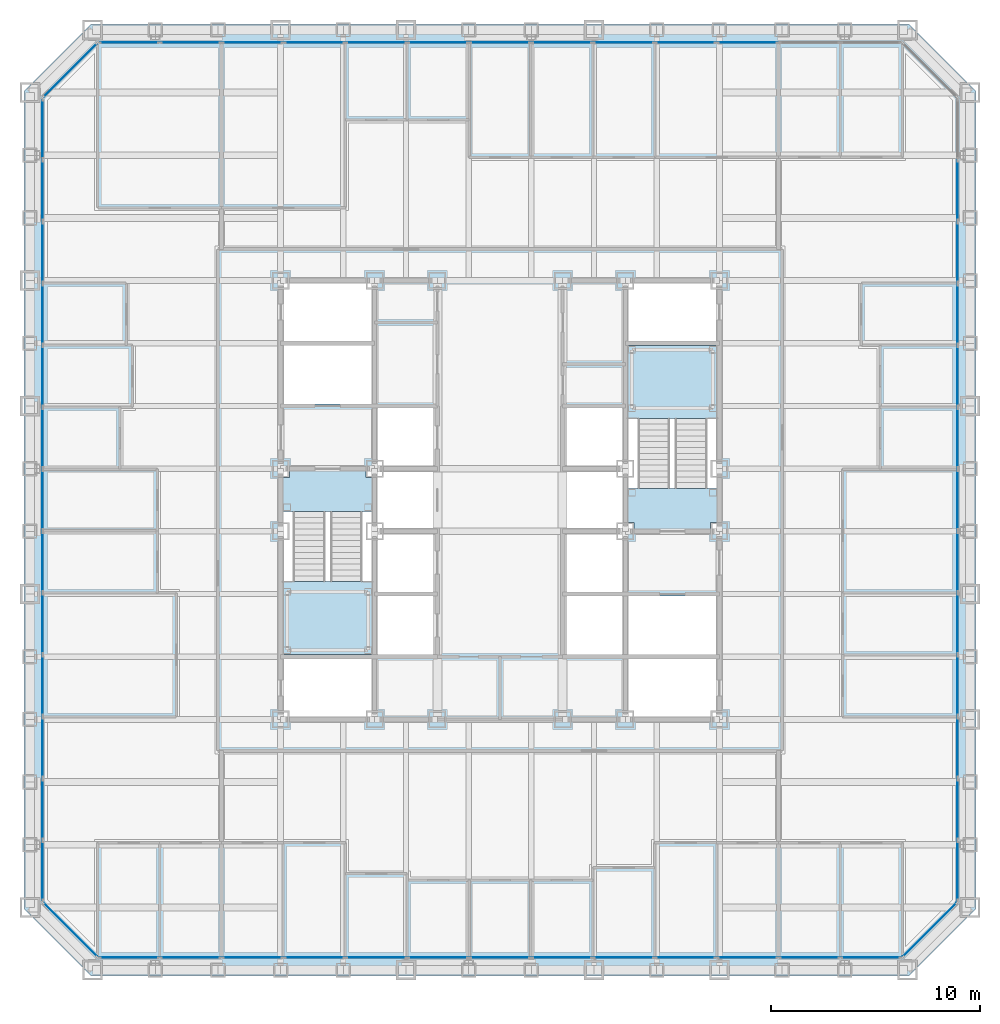
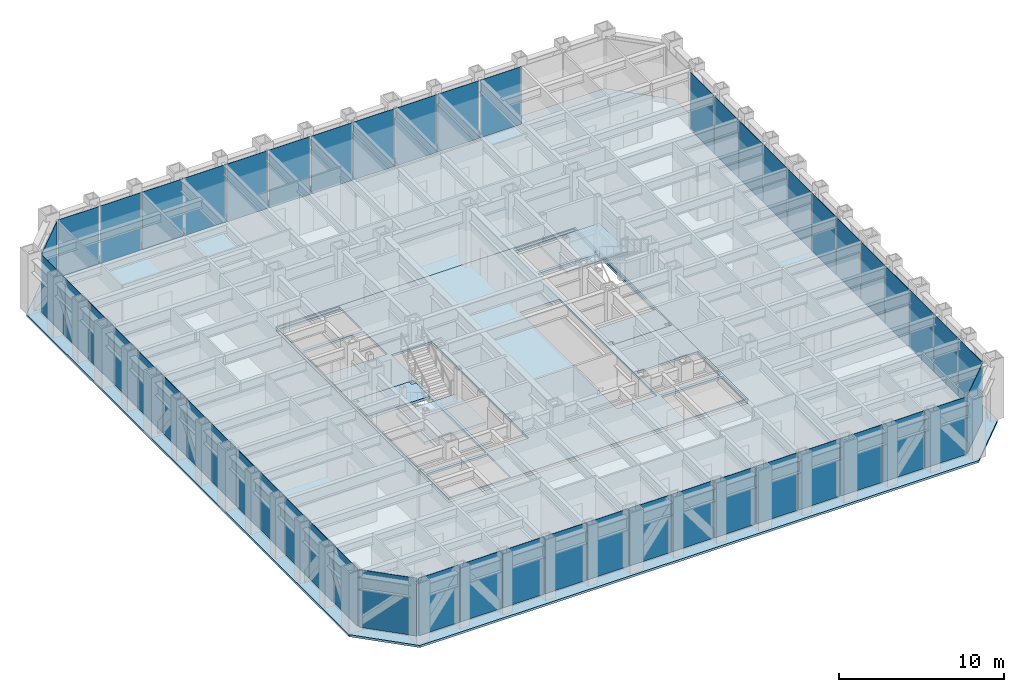
# One storey, part 7 of 16: 52 plates, 6 slabs, 9 elements without a shape of their own.
"""IFC4 building model written with IfcOpenShell, lengths in metres."""

from ifc_helpers import new_model, si_unit, direction, frame, origin, origin_2d, place, context, subcontext, project, spatial, polyline, rectangle, outline, extrude, material, layer, layer_set, type_object, element, aggregate, save


model = new_model("IFC4")

# Units and contexts
model_context = context("Model", 3, precision=1e-05, world=origin(), true_north=direction((0.0, 1.0)))
body_context = subcontext(model_context, "Body", "Model", "MODEL_VIEW")
ifc_project = project(units=[si_unit("LENGTHUNIT", "METRE"), si_unit("AREAUNIT", "SQUARE_METRE"), si_unit("VOLUMEUNIT", "CUBIC_METRE"), si_unit("PLANEANGLEUNIT", "RADIAN"), si_unit("MASSUNIT", "GRAM", prefix="KILO")], contexts=[model_context])

# Site, building, storey
site_placement = place(None, origin())
site = spatial("IfcSite", under=ifc_project, at=site_placement, CompositionType="ELEMENT")
building_placement = place(site_placement, origin())
building = spatial("IfcBuilding", under=site, at=building_placement, Name="Chuquiago Exchange Tower", CompositionType="ELEMENT")
storey_placement = place(building_placement, frame((0.0, 0.0, 82.800048828125)))
storey = spatial("IfcBuildingStorey", under=building, at=storey_placement, Name="L17", CompositionType="ELEMENT", Elevation=82.800048828125)

# Curtain wall, plates
ifc_material_1 = material(Name="Aluminium curtain wall system", Category="aluminium")
ifc_layer_1 = layer(ifc_material_1, 0.25)
ifc_layer_set_1 = layer_set([ifc_layer_1], Name="CW1 trading floor curtain wall")
curtain_wall_type_1 = type_object("IfcCurtainWallType", Name="CW1 trading floor curtain wall", PredefinedType="NOTDEFINED", material=ifc_layer_set_1)
curtain_wall_1_placement = place(storey_placement, origin())
curtain_wall_1 = element("IfcCurtainWall", 1, at=curtain_wall_1_placement, inside=storey, type_object=curtain_wall_type_1, Name="CW1 curtain wall L17", PredefinedType="NOTDEFINED")
ifc_material_2 = material(Name="Glass, insulating unit", Category="glass")
ifc_layer_2 = layer(ifc_material_2, 0.031982421875)
ifc_layer_set_2 = layer_set([ifc_layer_2], Name="CW1-P panel 32")
plate_type_1 = type_object("IfcPlateType", Name="CW1-P panel 32", PredefinedType="CURTAIN_PANEL", material=ifc_layer_set_2)
plate_1_placement = place(storey_placement, frame((10.65283203125, 0.60009765625, -0.22509765625), z_axis=(0.0, 0.0, 1.0), x_axis=(1.0, 0.0, 0.0)))
plate_1 = element("IfcPlate", 2, at=plate_1_placement, type_object=plate_type_1, Name="CW1 panel 3.1", PredefinedType="CURTAIN_PANEL", context=body_context, shape_type="SweptSolid", body=[
    extrude(rectangle(XDim=2.88671875, YDim=0.031982421875, at=origin_2d()), origin(), (0.0, 0.0, 1.0), 4.264892578125),
])
plate_2_placement = place(storey_placement, frame((13.61474609375, 0.60009765625, -0.22509765625), z_axis=(0.0, 0.0, 1.0), x_axis=(1.0, 0.0, 0.0)))
plate_2 = element("IfcPlate", 3, at=plate_2_placement, type_object=plate_type_1, Name="CW1 panel 4.1", PredefinedType="CURTAIN_PANEL", context=body_context, shape_type="SweptSolid", body=[
    extrude(rectangle(XDim=2.88671875, YDim=0.031982421875, at=origin_2d()), origin(), (0.0, 0.0, 1.0), 4.264892578125),
])
plate_3_placement = place(storey_placement, frame((16.576416015625, 0.60009765625, -0.22509765625), z_axis=(0.0, 0.0, 1.0), x_axis=(1.0, 0.0, 0.0)))
plate_3 = element("IfcPlate", 4, at=plate_3_placement, type_object=plate_type_1, Name="CW1 panel 5.1", PredefinedType="CURTAIN_PANEL", context=body_context, shape_type="SweptSolid", body=[
    extrude(rectangle(XDim=2.88671875, YDim=0.031982421875, at=origin_2d()), origin(), (0.0, 0.0, 1.0), 4.264892578125),
])
plate_4_placement = place(storey_placement, frame((25.461669921875, 0.60009765625, -0.22509765625), z_axis=(0.0, 0.0, 1.0), x_axis=(1.0, 0.0, 0.0)))
plate_4 = element("IfcPlate", 5, at=plate_4_placement, type_object=plate_type_1, Name="CW1 panel 8.1", PredefinedType="CURTAIN_PANEL", context=body_context, shape_type="SweptSolid", body=[
    extrude(rectangle(XDim=2.88671875, YDim=0.031982421875, at=origin_2d()), origin(), (0.0, 0.0, 1.0), 4.264892578125),
])
plate_5_placement = place(storey_placement, frame((28.423583984375, 0.60009765625, -0.22509765625), z_axis=(0.0, 0.0, 1.0), x_axis=(1.0, 0.0, 0.0)))
plate_5 = element("IfcPlate", 6, at=plate_5_placement, type_object=plate_type_1, Name="CW1 panel 9.1", PredefinedType="CURTAIN_PANEL", context=body_context, shape_type="SweptSolid", body=[
    extrude(rectangle(XDim=2.88671875, YDim=0.031982421875, at=origin_2d()), origin(), (0.0, 0.0, 1.0), 4.264892578125),
])
plate_6_placement = place(storey_placement, frame((31.38525390625, 0.60009765625, -0.22509765625), z_axis=(0.0, 0.0, 1.0), x_axis=(1.0, 0.0, 0.0)))
plate_6 = element("IfcPlate", 7, at=plate_6_placement, type_object=plate_type_1, Name="CW1 panel 10.1", PredefinedType="CURTAIN_PANEL", context=body_context, shape_type="SweptSolid", body=[
    extrude(rectangle(XDim=2.88671875, YDim=0.031982421875, at=origin_2d()), origin(), (0.0, 0.0, 1.0), 4.264892578125),
])
plate_7_placement = place(storey_placement, frame((34.34716796875, 0.60009765625, -0.22509765625), z_axis=(0.0, 0.0, 1.0), x_axis=(1.0, 0.0, 0.0)))
plate_7 = element("IfcPlate", 8, at=plate_7_placement, type_object=plate_type_1, Name="CW1 panel 11.1", PredefinedType="CURTAIN_PANEL", context=body_context, shape_type="SweptSolid", body=[
    extrude(rectangle(XDim=2.88671875, YDim=0.031982421875, at=origin_2d()), origin(), (0.0, 0.0, 1.0), 4.264892578125),
])

curtain_wall_2_placement = place(storey_placement, origin())
curtain_wall_2 = element("IfcCurtainWall", 9, at=curtain_wall_2_placement, inside=storey, type_object=curtain_wall_type_1, Name="CW1 curtain wall L17", PredefinedType="NOTDEFINED")
plate_8_placement = place(storey_placement, frame((44.39990234375, 10.65283203125, -0.22509765625), z_axis=(0.0, 0.0, 1.0), x_axis=(0.0, 1.0, 0.0)))
plate_8 = element("IfcPlate", 10, at=plate_8_placement, type_object=plate_type_1, Name="CW1 panel 3.1", PredefinedType="CURTAIN_PANEL", context=body_context, shape_type="SweptSolid", body=[
    extrude(rectangle(XDim=2.88671875, YDim=0.031982421875, at=origin_2d()), origin(), (0.0, 0.0, 1.0), 4.264892578125),
])
plate_9_placement = place(storey_placement, frame((44.39990234375, 13.61474609375, -0.22509765625), z_axis=(0.0, 0.0, 1.0), x_axis=(0.0, 1.0, 0.0)))
plate_9 = element("IfcPlate", 11, at=plate_9_placement, type_object=plate_type_1, Name="CW1 panel 4.1", PredefinedType="CURTAIN_PANEL", context=body_context, shape_type="SweptSolid", body=[
    extrude(rectangle(XDim=2.88671875, YDim=0.031982421875, at=origin_2d()), origin(), (0.0, 0.0, 1.0), 4.264892578125),
])
plate_10_placement = place(storey_placement, frame((44.39990234375, 16.576416015625, -0.22509765625), z_axis=(0.0, 0.0, 1.0), x_axis=(0.0, 1.0, 0.0)))
plate_10 = element("IfcPlate", 12, at=plate_10_placement, type_object=plate_type_1, Name="CW1 panel 5.1", PredefinedType="CURTAIN_PANEL", context=body_context, shape_type="SweptSolid", body=[
    extrude(rectangle(XDim=2.88671875, YDim=0.031982421875, at=origin_2d()), origin(), (0.0, 0.0, 1.0), 4.264892578125),
])
plate_11_placement = place(storey_placement, frame((44.39990234375, 25.461669921875, -0.22509765625), z_axis=(0.0, 0.0, 1.0), x_axis=(0.0, 1.0, 0.0)))
plate_11 = element("IfcPlate", 13, at=plate_11_placement, type_object=plate_type_1, Name="CW1 panel 8.1", PredefinedType="CURTAIN_PANEL", context=body_context, shape_type="SweptSolid", body=[
    extrude(rectangle(XDim=2.88671875, YDim=0.031982421875, at=origin_2d()), origin(), (0.0, 0.0, 1.0), 4.264892578125),
])
plate_12_placement = place(storey_placement, frame((44.39990234375, 28.423583984375, -0.22509765625), z_axis=(0.0, 0.0, 1.0), x_axis=(0.0, 1.0, 0.0)))
plate_12 = element("IfcPlate", 14, at=plate_12_placement, type_object=plate_type_1, Name="CW1 panel 9.1", PredefinedType="CURTAIN_PANEL", context=body_context, shape_type="SweptSolid", body=[
    extrude(rectangle(XDim=2.88671875, YDim=0.031982421875, at=origin_2d()), origin(), (0.0, 0.0, 1.0), 4.264892578125),
])
plate_13_placement = place(storey_placement, frame((44.39990234375, 31.38525390625, -0.22509765625), z_axis=(0.0, 0.0, 1.0), x_axis=(0.0, 1.0, 0.0)))
plate_13 = element("IfcPlate", 15, at=plate_13_placement, type_object=plate_type_1, Name="CW1 panel 10.1", PredefinedType="CURTAIN_PANEL", context=body_context, shape_type="SweptSolid", body=[
    extrude(rectangle(XDim=2.88671875, YDim=0.031982421875, at=origin_2d()), origin(), (0.0, 0.0, 1.0), 4.264892578125),
])
plate_14_placement = place(storey_placement, frame((44.39990234375, 34.34716796875, -0.22509765625), z_axis=(0.0, 0.0, 1.0), x_axis=(0.0, 1.0, 0.0)))
plate_14 = element("IfcPlate", 16, at=plate_14_placement, type_object=plate_type_1, Name="CW1 panel 11.1", PredefinedType="CURTAIN_PANEL", context=body_context, shape_type="SweptSolid", body=[
    extrude(rectangle(XDim=2.88671875, YDim=0.031982421875, at=origin_2d()), origin(), (0.0, 0.0, 1.0), 4.264892578125),
])

curtain_wall_3_placement = place(storey_placement, origin())
curtain_wall_3 = element("IfcCurtainWall", 17, at=curtain_wall_3_placement, inside=storey, type_object=curtain_wall_type_1, Name="CW1 curtain wall L17", PredefinedType="NOTDEFINED")
plate_15_placement = place(storey_placement, frame((34.34716796875, 44.39990234375, -0.22509765625), z_axis=(0.0, 0.0, 1.0), x_axis=(-1.0, 0.0, 0.0)))
plate_15 = element("IfcPlate", 18, at=plate_15_placement, type_object=plate_type_1, Name="CW1 panel 3.1", PredefinedType="CURTAIN_PANEL", context=body_context, shape_type="SweptSolid", body=[
    extrude(rectangle(XDim=2.88671875, YDim=0.031982421875, at=origin_2d()), origin(), (0.0, 0.0, 1.0), 4.264892578125),
])
plate_16_placement = place(storey_placement, frame((31.38525390625, 44.39990234375, -0.22509765625), z_axis=(0.0, 0.0, 1.0), x_axis=(-1.0, 0.0, 0.0)))
plate_16 = element("IfcPlate", 19, at=plate_16_placement, type_object=plate_type_1, Name="CW1 panel 4.1", PredefinedType="CURTAIN_PANEL", context=body_context, shape_type="SweptSolid", body=[
    extrude(rectangle(XDim=2.88671875, YDim=0.031982421875, at=origin_2d()), origin(), (0.0, 0.0, 1.0), 4.264892578125),
])
plate_17_placement = place(storey_placement, frame((28.423583984375, 44.39990234375, -0.22509765625), z_axis=(0.0, 0.0, 1.0), x_axis=(-1.0, 0.0, 0.0)))
plate_17 = element("IfcPlate", 20, at=plate_17_placement, type_object=plate_type_1, Name="CW1 panel 5.1", PredefinedType="CURTAIN_PANEL", context=body_context, shape_type="SweptSolid", body=[
    extrude(rectangle(XDim=2.88671875, YDim=0.031982421875, at=origin_2d()), origin(), (0.0, 0.0, 1.0), 4.264892578125),
])
plate_18_placement = place(storey_placement, frame((19.538330078125, 44.39990234375, -0.22509765625), z_axis=(0.0, 0.0, 1.0), x_axis=(-1.0, 0.0, 0.0)))
plate_18 = element("IfcPlate", 21, at=plate_18_placement, type_object=plate_type_1, Name="CW1 panel 8.1", PredefinedType="CURTAIN_PANEL", context=body_context, shape_type="SweptSolid", body=[
    extrude(rectangle(XDim=2.88671875, YDim=0.031982421875, at=origin_2d()), origin(), (0.0, 0.0, 1.0), 4.264892578125),
])
plate_19_placement = place(storey_placement, frame((16.576416015625, 44.39990234375, -0.22509765625), z_axis=(0.0, 0.0, 1.0), x_axis=(-1.0, 0.0, 0.0)))
plate_19 = element("IfcPlate", 22, at=plate_19_placement, type_object=plate_type_1, Name="CW1 panel 9.1", PredefinedType="CURTAIN_PANEL", context=body_context, shape_type="SweptSolid", body=[
    extrude(rectangle(XDim=2.88671875, YDim=0.031982421875, at=origin_2d()), origin(), (0.0, 0.0, 1.0), 4.264892578125),
])
plate_20_placement = place(storey_placement, frame((13.61474609375, 44.39990234375, -0.22509765625), z_axis=(0.0, 0.0, 1.0), x_axis=(-1.0, 0.0, 0.0)))
plate_20 = element("IfcPlate", 23, at=plate_20_placement, type_object=plate_type_1, Name="CW1 panel 10.1", PredefinedType="CURTAIN_PANEL", context=body_context, shape_type="SweptSolid", body=[
    extrude(rectangle(XDim=2.88671875, YDim=0.031982421875, at=origin_2d()), origin(), (0.0, 0.0, 1.0), 4.264892578125),
])
plate_21_placement = place(storey_placement, frame((10.65283203125, 44.39990234375, -0.22509765625), z_axis=(0.0, 0.0, 1.0), x_axis=(-1.0, 0.0, 0.0)))
plate_21 = element("IfcPlate", 24, at=plate_21_placement, type_object=plate_type_1, Name="CW1 panel 11.1", PredefinedType="CURTAIN_PANEL", context=body_context, shape_type="SweptSolid", body=[
    extrude(rectangle(XDim=2.88671875, YDim=0.031982421875, at=origin_2d()), origin(), (0.0, 0.0, 1.0), 4.264892578125),
])

curtain_wall_4_placement = place(storey_placement, origin())
curtain_wall_4 = element("IfcCurtainWall", 25, at=curtain_wall_4_placement, inside=storey, type_object=curtain_wall_type_1, Name="CW1 curtain wall L17", PredefinedType="NOTDEFINED")
plate_22_placement = place(storey_placement, frame((0.60009765625, 34.34716796875, -0.22509765625), z_axis=(0.0, 0.0, 1.0), x_axis=(0.0, -1.0, 0.0)))
plate_22 = element("IfcPlate", 26, at=plate_22_placement, type_object=plate_type_1, Name="CW1 panel 3.1", PredefinedType="CURTAIN_PANEL", context=body_context, shape_type="SweptSolid", body=[
    extrude(rectangle(XDim=2.88671875, YDim=0.031982421875, at=origin_2d()), origin(), (0.0, 0.0, 1.0), 4.264892578125),
])
plate_23_placement = place(storey_placement, frame((0.60009765625, 31.38525390625, -0.22509765625), z_axis=(0.0, 0.0, 1.0), x_axis=(0.0, -1.0, 0.0)))
plate_23 = element("IfcPlate", 27, at=plate_23_placement, type_object=plate_type_1, Name="CW1 panel 4.1", PredefinedType="CURTAIN_PANEL", context=body_context, shape_type="SweptSolid", body=[
    extrude(rectangle(XDim=2.88671875, YDim=0.031982421875, at=origin_2d()), origin(), (0.0, 0.0, 1.0), 4.264892578125),
])
plate_24_placement = place(storey_placement, frame((0.60009765625, 28.423583984375, -0.22509765625), z_axis=(0.0, 0.0, 1.0), x_axis=(0.0, -1.0, 0.0)))
plate_24 = element("IfcPlate", 28, at=plate_24_placement, type_object=plate_type_1, Name="CW1 panel 5.1", PredefinedType="CURTAIN_PANEL", context=body_context, shape_type="SweptSolid", body=[
    extrude(rectangle(XDim=2.88671875, YDim=0.031982421875, at=origin_2d()), origin(), (0.0, 0.0, 1.0), 4.264892578125),
])
plate_25_placement = place(storey_placement, frame((0.60009765625, 19.538330078125, -0.22509765625), z_axis=(0.0, 0.0, 1.0), x_axis=(0.0, -1.0, 0.0)))
plate_25 = element("IfcPlate", 29, at=plate_25_placement, type_object=plate_type_1, Name="CW1 panel 8.1", PredefinedType="CURTAIN_PANEL", context=body_context, shape_type="SweptSolid", body=[
    extrude(rectangle(XDim=2.88671875, YDim=0.031982421875, at=origin_2d()), origin(), (0.0, 0.0, 1.0), 4.264892578125),
])
plate_26_placement = place(storey_placement, frame((0.60009765625, 16.576416015625, -0.22509765625), z_axis=(0.0, 0.0, 1.0), x_axis=(0.0, -1.0, 0.0)))
plate_26 = element("IfcPlate", 30, at=plate_26_placement, type_object=plate_type_1, Name="CW1 panel 9.1", PredefinedType="CURTAIN_PANEL", context=body_context, shape_type="SweptSolid", body=[
    extrude(rectangle(XDim=2.88671875, YDim=0.031982421875, at=origin_2d()), origin(), (0.0, 0.0, 1.0), 4.264892578125),
])
plate_27_placement = place(storey_placement, frame((0.60009765625, 13.61474609375, -0.22509765625), z_axis=(0.0, 0.0, 1.0), x_axis=(0.0, -1.0, 0.0)))
plate_27 = element("IfcPlate", 31, at=plate_27_placement, type_object=plate_type_1, Name="CW1 panel 10.1", PredefinedType="CURTAIN_PANEL", context=body_context, shape_type="SweptSolid", body=[
    extrude(rectangle(XDim=2.88671875, YDim=0.031982421875, at=origin_2d()), origin(), (0.0, 0.0, 1.0), 4.264892578125),
])
plate_28_placement = place(storey_placement, frame((0.60009765625, 10.65283203125, -0.22509765625), z_axis=(0.0, 0.0, 1.0), x_axis=(0.0, -1.0, 0.0)))
plate_28 = element("IfcPlate", 32, at=plate_28_placement, type_object=plate_type_1, Name="CW1 panel 11.1", PredefinedType="CURTAIN_PANEL", context=body_context, shape_type="SweptSolid", body=[
    extrude(rectangle(XDim=2.88671875, YDim=0.031982421875, at=origin_2d()), origin(), (0.0, 0.0, 1.0), 4.264892578125),
])

# Plate
ifc_material_3 = material(Name="Insulated spandrel panel, pale anodised aluminium", Category="aluminium")
ifc_layer_3 = layer(ifc_material_3, 0.031982421875)
ifc_layer_set_3 = layer_set([ifc_layer_3], Name="CW1-P spandrel panel 32")
plate_type_2 = type_object("IfcPlateType", Name="CW1-P spandrel panel 32", PredefinedType="CURTAIN_PANEL", material=ifc_layer_set_3)
plate_29_placement = place(storey_placement, frame((4.748046875, 0.60009765625, -0.22509765625), z_axis=(0.0, 0.0, 1.0), x_axis=(1.0, 0.0, 0.0)))
plate_29 = element("IfcPlate", 33, at=plate_29_placement, type_object=plate_type_2, Name="CW1 panel 1.1", PredefinedType="CURTAIN_PANEL", context=body_context, shape_type="SweptSolid", body=[
    extrude(rectangle(XDim=2.849365234375, YDim=0.031982421875, at=origin_2d()), origin(), (0.0, 0.0, 1.0), 4.264892578125),
])

plate_30_placement = place(storey_placement, frame((7.691162109375, 0.60009765625, -0.22509765625), z_axis=(0.0, 0.0, 1.0), x_axis=(1.0, 0.0, 0.0)))
plate_30 = element("IfcPlate", 34, at=plate_30_placement, type_object=plate_type_2, Name="CW1 panel 2.1", PredefinedType="CURTAIN_PANEL", context=body_context, shape_type="SweptSolid", body=[
    extrude(rectangle(XDim=2.88671875, YDim=0.031982421875, at=origin_2d()), origin(), (0.0, 0.0, 1.0), 4.264892578125),
])

plate_31_placement = place(storey_placement, frame((19.538330078125, 0.60009765625, -0.22509765625), z_axis=(0.0, 0.0, 1.0), x_axis=(1.0, 0.0, 0.0)))
plate_31 = element("IfcPlate", 35, at=plate_31_placement, type_object=plate_type_2, Name="CW1 panel 6.1", PredefinedType="CURTAIN_PANEL", context=body_context, shape_type="SweptSolid", body=[
    extrude(rectangle(XDim=2.88671875, YDim=0.031982421875, at=origin_2d()), origin(), (0.0, 0.0, 1.0), 4.264892578125),
])

plate_32_placement = place(storey_placement, frame((22.5, 0.60009765625, -0.22509765625), z_axis=(0.0, 0.0, 1.0), x_axis=(1.0, 0.0, 0.0)))
plate_32 = element("IfcPlate", 36, at=plate_32_placement, type_object=plate_type_2, Name="CW1 panel 7.1", PredefinedType="CURTAIN_PANEL", context=body_context, shape_type="SweptSolid", body=[
    extrude(rectangle(XDim=2.88671875, YDim=0.031982421875, at=origin_2d()), origin(), (0.0, 0.0, 1.0), 4.264892578125),
])

plate_33_placement = place(storey_placement, frame((37.308837890625, 0.60009765625, -0.22509765625), z_axis=(0.0, 0.0, 1.0), x_axis=(1.0, 0.0, 0.0)))
plate_33 = element("IfcPlate", 37, at=plate_33_placement, type_object=plate_type_2, Name="CW1 panel 12.1", PredefinedType="CURTAIN_PANEL", context=body_context, shape_type="SweptSolid", body=[
    extrude(rectangle(XDim=2.88671875, YDim=0.031982421875, at=origin_2d()), origin(), (0.0, 0.0, 1.0), 4.264892578125),
])

plate_34_placement = place(storey_placement, frame((40.251953125, 0.60009765625, -0.22509765625), z_axis=(0.0, 0.0, 1.0), x_axis=(1.0, 0.0, 0.0)))
plate_34 = element("IfcPlate", 38, at=plate_34_placement, type_object=plate_type_2, Name="CW1 panel 13.1", PredefinedType="CURTAIN_PANEL", context=body_context, shape_type="SweptSolid", body=[
    extrude(rectangle(XDim=2.849365234375, YDim=0.031982421875, at=origin_2d()), origin(), (0.0, 0.0, 1.0), 4.264892578125),
])

aggregate(curtain_wall_1, [plate_29, plate_30, plate_1, plate_2, plate_3, plate_31, plate_32, plate_4, plate_5, plate_6, plate_7, plate_33, plate_34])

plate_35_placement = place(storey_placement, frame((44.39990234375, 4.748046875, -0.22509765625), z_axis=(0.0, 0.0, 1.0), x_axis=(0.0, 1.0, 0.0)))
plate_35 = element("IfcPlate", 39, at=plate_35_placement, type_object=plate_type_2, Name="CW1 panel 1.1", PredefinedType="CURTAIN_PANEL", context=body_context, shape_type="SweptSolid", body=[
    extrude(rectangle(XDim=2.849365234375, YDim=0.031982421875, at=origin_2d()), origin(), (0.0, 0.0, 1.0), 4.264892578125),
])

plate_36_placement = place(storey_placement, frame((44.39990234375, 7.691162109375, -0.22509765625), z_axis=(0.0, 0.0, 1.0), x_axis=(0.0, 1.0, 0.0)))
plate_36 = element("IfcPlate", 40, at=plate_36_placement, type_object=plate_type_2, Name="CW1 panel 2.1", PredefinedType="CURTAIN_PANEL", context=body_context, shape_type="SweptSolid", body=[
    extrude(rectangle(XDim=2.88671875, YDim=0.031982421875, at=origin_2d()), origin(), (0.0, 0.0, 1.0), 4.264892578125),
])

plate_37_placement = place(storey_placement, frame((44.39990234375, 19.538330078125, -0.22509765625), z_axis=(0.0, 0.0, 1.0), x_axis=(0.0, 1.0, 0.0)))
plate_37 = element("IfcPlate", 41, at=plate_37_placement, type_object=plate_type_2, Name="CW1 panel 6.1", PredefinedType="CURTAIN_PANEL", context=body_context, shape_type="SweptSolid", body=[
    extrude(rectangle(XDim=2.88671875, YDim=0.031982421875, at=origin_2d()), origin(), (0.0, 0.0, 1.0), 4.264892578125),
])

plate_38_placement = place(storey_placement, frame((44.39990234375, 22.5, -0.22509765625), z_axis=(0.0, 0.0, 1.0), x_axis=(0.0, 1.0, 0.0)))
plate_38 = element("IfcPlate", 42, at=plate_38_placement, type_object=plate_type_2, Name="CW1 panel 7.1", PredefinedType="CURTAIN_PANEL", context=body_context, shape_type="SweptSolid", body=[
    extrude(rectangle(XDim=2.88671875, YDim=0.031982421875, at=origin_2d()), origin(), (0.0, 0.0, 1.0), 4.264892578125),
])

plate_39_placement = place(storey_placement, frame((44.39990234375, 37.308837890625, -0.22509765625), z_axis=(0.0, 0.0, 1.0), x_axis=(0.0, 1.0, 0.0)))
plate_39 = element("IfcPlate", 43, at=plate_39_placement, type_object=plate_type_2, Name="CW1 panel 12.1", PredefinedType="CURTAIN_PANEL", context=body_context, shape_type="SweptSolid", body=[
    extrude(rectangle(XDim=2.88671875, YDim=0.031982421875, at=origin_2d()), origin(), (0.0, 0.0, 1.0), 4.264892578125),
])

aggregate(curtain_wall_2, [plate_35, plate_36, plate_8, plate_9, plate_10, plate_37, plate_38, plate_11, plate_12, plate_13, plate_14, plate_39])

plate_40_placement = place(storey_placement, frame((25.461669921875, 44.39990234375, -0.22509765625), z_axis=(0.0, 0.0, 1.0), x_axis=(-1.0, 0.0, 0.0)))
plate_40 = element("IfcPlate", 44, at=plate_40_placement, type_object=plate_type_2, Name="CW1 panel 6.1", PredefinedType="CURTAIN_PANEL", context=body_context, shape_type="SweptSolid", body=[
    extrude(rectangle(XDim=2.88671875, YDim=0.031982421875, at=origin_2d()), origin(), (0.0, 0.0, 1.0), 4.264892578125),
])

plate_41_placement = place(storey_placement, frame((22.5, 44.39990234375, -0.22509765625), z_axis=(0.0, 0.0, 1.0), x_axis=(-1.0, 0.0, 0.0)))
plate_41 = element("IfcPlate", 45, at=plate_41_placement, type_object=plate_type_2, Name="CW1 panel 7.1", PredefinedType="CURTAIN_PANEL", context=body_context, shape_type="SweptSolid", body=[
    extrude(rectangle(XDim=2.88671875, YDim=0.031982421875, at=origin_2d()), origin(), (0.0, 0.0, 1.0), 4.264892578125),
])

plate_42_placement = place(storey_placement, frame((7.691162109375, 44.39990234375, -0.22509765625), z_axis=(0.0, 0.0, 1.0), x_axis=(-1.0, 0.0, 0.0)))
plate_42 = element("IfcPlate", 46, at=plate_42_placement, type_object=plate_type_2, Name="CW1 panel 12.1", PredefinedType="CURTAIN_PANEL", context=body_context, shape_type="SweptSolid", body=[
    extrude(rectangle(XDim=2.88671875, YDim=0.031982421875, at=origin_2d()), origin(), (0.0, 0.0, 1.0), 4.264892578125),
])

plate_43_placement = place(storey_placement, frame((4.748046875, 44.39990234375, -0.22509765625), z_axis=(0.0, 0.0, 1.0), x_axis=(-1.0, 0.0, 0.0)))
plate_43 = element("IfcPlate", 47, at=plate_43_placement, type_object=plate_type_2, Name="CW1 panel 13.1", PredefinedType="CURTAIN_PANEL", context=body_context, shape_type="SweptSolid", body=[
    extrude(rectangle(XDim=2.849365234375, YDim=0.031982421875, at=origin_2d()), origin(), (0.0, 0.0, 1.0), 4.264892578125),
])

aggregate(curtain_wall_3, [plate_15, plate_16, plate_17, plate_40, plate_41, plate_18, plate_19, plate_20, plate_21, plate_42, plate_43])

plate_44_placement = place(storey_placement, frame((0.60009765625, 40.251953125, -0.22509765625), z_axis=(0.0, 0.0, 1.0), x_axis=(0.0, -1.0, 0.0)))
plate_44 = element("IfcPlate", 48, at=plate_44_placement, type_object=plate_type_2, Name="CW1 panel 1.1", PredefinedType="CURTAIN_PANEL", context=body_context, shape_type="SweptSolid", body=[
    extrude(rectangle(XDim=2.849365234375, YDim=0.031982421875, at=origin_2d()), origin(), (0.0, 0.0, 1.0), 4.264892578125),
])

plate_45_placement = place(storey_placement, frame((0.60009765625, 37.308837890625, -0.22509765625), z_axis=(0.0, 0.0, 1.0), x_axis=(0.0, -1.0, 0.0)))
plate_45 = element("IfcPlate", 49, at=plate_45_placement, type_object=plate_type_2, Name="CW1 panel 2.1", PredefinedType="CURTAIN_PANEL", context=body_context, shape_type="SweptSolid", body=[
    extrude(rectangle(XDim=2.88671875, YDim=0.031982421875, at=origin_2d()), origin(), (0.0, 0.0, 1.0), 4.264892578125),
])

plate_46_placement = place(storey_placement, frame((0.60009765625, 25.461669921875, -0.22509765625), z_axis=(0.0, 0.0, 1.0), x_axis=(0.0, -1.0, 0.0)))
plate_46 = element("IfcPlate", 50, at=plate_46_placement, type_object=plate_type_2, Name="CW1 panel 6.1", PredefinedType="CURTAIN_PANEL", context=body_context, shape_type="SweptSolid", body=[
    extrude(rectangle(XDim=2.88671875, YDim=0.031982421875, at=origin_2d()), origin(), (0.0, 0.0, 1.0), 4.264892578125),
])

plate_47_placement = place(storey_placement, frame((0.60009765625, 22.5, -0.22509765625), z_axis=(0.0, 0.0, 1.0), x_axis=(0.0, -1.0, 0.0)))
plate_47 = element("IfcPlate", 51, at=plate_47_placement, type_object=plate_type_2, Name="CW1 panel 7.1", PredefinedType="CURTAIN_PANEL", context=body_context, shape_type="SweptSolid", body=[
    extrude(rectangle(XDim=2.88671875, YDim=0.031982421875, at=origin_2d()), origin(), (0.0, 0.0, 1.0), 4.264892578125),
])

plate_48_placement = place(storey_placement, frame((0.60009765625, 7.691162109375, -0.22509765625), z_axis=(0.0, 0.0, 1.0), x_axis=(0.0, -1.0, 0.0)))
plate_48 = element("IfcPlate", 52, at=plate_48_placement, type_object=plate_type_2, Name="CW1 panel 12.1", PredefinedType="CURTAIN_PANEL", context=body_context, shape_type="SweptSolid", body=[
    extrude(rectangle(XDim=2.88671875, YDim=0.031982421875, at=origin_2d()), origin(), (0.0, 0.0, 1.0), 4.264892578125),
])

plate_49_placement = place(storey_placement, frame((0.60009765625, 4.748046875, -0.22509765625), z_axis=(0.0, 0.0, 1.0), x_axis=(0.0, -1.0, 0.0)))
plate_49 = element("IfcPlate", 53, at=plate_49_placement, type_object=plate_type_2, Name="CW1 panel 13.1", PredefinedType="CURTAIN_PANEL", context=body_context, shape_type="SweptSolid", body=[
    extrude(rectangle(XDim=2.849365234375, YDim=0.031982421875, at=origin_2d()), origin(), (0.0, 0.0, 1.0), 4.264892578125),
])

aggregate(curtain_wall_4, [plate_44, plate_45, plate_22, plate_23, plate_24, plate_46, plate_47, plate_25, plate_26, plate_27, plate_28, plate_48, plate_49])

# Curtain wall, plate
ifc_material_4 = material(Name="Aluminium curtain wall system", Category="aluminium")
ifc_layer_4 = layer(ifc_material_4, 0.199951171875)
ifc_layer_set_4 = layer_set([ifc_layer_4], Name="CW3 facet curtain wall")
curtain_wall_type_2 = type_object("IfcCurtainWallType", Name="CW3 facet curtain wall", PredefinedType="NOTDEFINED", material=ifc_layer_set_4)
curtain_wall_5_placement = place(storey_placement, origin())
curtain_wall_5 = element("IfcCurtainWall", 54, at=curtain_wall_5_placement, inside=storey, type_object=curtain_wall_type_2, Name="CW3 curtain wall L17", PredefinedType="NOTDEFINED")
ifc_material_5 = material(Name="Insulated spandrel panel, pale anodised aluminium", Category="aluminium")
ifc_layer_5 = layer(ifc_material_5, 0.030029296875)
ifc_layer_set_5 = layer_set([ifc_layer_5], Name="CW3-P spandrel panel 30")
plate_type_3 = type_object("IfcPlateType", Name="CW3-P spandrel panel 30", PredefinedType="CURTAIN_PANEL", material=ifc_layer_set_5)
plate_50_placement = place(storey_placement, frame((43.07568359375, 1.92431640625, -0.235107421875), z_axis=(0.0, 0.0, 1.0), x_axis=(0.707106781187, 0.707106781187, 0.0)))
plate_50 = element("IfcPlate", 55, at=plate_50_placement, type_object=plate_type_3, Name="CW3 panel 1.1", PredefinedType="CURTAIN_PANEL", context=body_context, shape_type="SweptSolid", body=[
    extrude(rectangle(XDim=3.615478515625, YDim=0.030029296875, at=origin_2d()), origin(), (0.0, 0.0, 1.0), 4.27490234375),
])
aggregate(curtain_wall_5, [plate_50])

curtain_wall_6_placement = place(storey_placement, origin())
curtain_wall_6 = element("IfcCurtainWall", 56, at=curtain_wall_6_placement, inside=storey, type_object=curtain_wall_type_2, Name="CW3 curtain wall L17", PredefinedType="NOTDEFINED")
plate_51_placement = place(storey_placement, frame((1.92431640625, 43.07568359375, -0.235107421875), z_axis=(0.0, 0.0, 1.0), x_axis=(-0.707106781187, -0.707106781187, 0.0)))
plate_51 = element("IfcPlate", 57, at=plate_51_placement, type_object=plate_type_3, Name="CW3 panel 1.1", PredefinedType="CURTAIN_PANEL", context=body_context, shape_type="SweptSolid", body=[
    extrude(rectangle(XDim=3.615478515625, YDim=0.030029296875, at=origin_2d()), origin(), (0.0, 0.0, 1.0), 4.27490234375),
])
aggregate(curtain_wall_6, [plate_51])

curtain_wall_7_placement = place(storey_placement, origin())
curtain_wall_7 = element("IfcCurtainWall", 58, at=curtain_wall_7_placement, inside=storey, type_object=curtain_wall_type_2, Name="CW3 curtain wall L17", PredefinedType="NOTDEFINED")
plate_52_placement = place(storey_placement, frame((1.92431640625, 1.92431640625, -0.235107421875), z_axis=(0.0, 0.0, 1.0), x_axis=(0.707106781187, -0.707106781187, 0.0)))
plate_52 = element("IfcPlate", 59, at=plate_52_placement, type_object=plate_type_3, Name="CW3 panel 1.1", PredefinedType="CURTAIN_PANEL", context=body_context, shape_type="SweptSolid", body=[
    extrude(rectangle(XDim=3.615478515625, YDim=0.030029296875, at=origin_2d()), origin(), (0.0, 0.0, 1.0), 4.27490234375),
])
aggregate(curtain_wall_7, [plate_52])

# Slabs
ifc_material_6 = material(Name="Concrete C30/37", Category="concrete")
ifc_layer_6 = layer(ifc_material_6, 0.159912109375)
ifc_layer_set_6 = layer_set([ifc_layer_6], Name="FS1 composite floor 160")
slab_type_1 = type_object("IfcSlabType", Name="FS1 composite floor 160", PredefinedType="FLOOR", material=ifc_layer_set_6)
slab_1_placement = place(storey_placement, frame((0.0, 0.0, -0.4599609375)))
element("IfcSlab", 60, at=slab_1_placement, inside=storey, type_object=slab_type_1, Name="L17 floor slab, lowered under the raised floor", PredefinedType="FLOOR", context=body_context, shape_type="SweptSolid", body=[
    extrude(outline(polyline([(-0.25, 2.896484375), (-0.25, 42.103515625), (2.896484375, 45.25), (42.103515625, 45.25), (45.25, 42.103515625), (45.25, 2.896484375), (42.103515625, -0.25), (2.896484375, -0.25), (-0.25, 2.896484375)]), holes=[polyline([(33.0, 33.0), (12.0, 33.0), (12.0, 12.0), (33.0, 12.0), (33.0, 33.0)])]), origin(), (0.0, 0.0, 1.0), 0.159912109375),
])
slab_2_placement = place(storey_placement, frame((0.0, 0.0, -0.16015625)))
element("IfcSlab", 61, at=slab_2_placement, inside=storey, type_object=slab_type_1, Name="L17 core floor slab", PredefinedType="FLOOR", context=body_context, shape_type="SweptSolid", body=[
    extrude(outline(polyline([(33.0, 12.0), (33.0, 33.0), (12.0, 33.0), (12.0, 12.0), (33.0, 12.0)]), holes=[polyline([(16.39990234375, 15.10009765625), (12.10009765625, 15.10009765625), (12.10009765625, 23.89990234375), (16.39990234375, 23.89990234375), (16.39990234375, 15.10009765625)]), polyline([(32.89990234375, 21.10009765625), (28.60009765625, 21.10009765625), (28.60009765625, 29.89990234375), (32.89990234375, 29.89990234375), (32.89990234375, 21.10009765625)]), polyline([(16.39990234375, 12.10009765625), (12.10009765625, 12.10009765625), (12.10009765625, 14.89990234375), (16.39990234375, 14.89990234375), (16.39990234375, 12.10009765625)]), polyline([(16.39990234375, 30.10009765625), (12.10009765625, 30.10009765625), (12.10009765625, 32.89990234375), (16.39990234375, 32.89990234375), (16.39990234375, 30.10009765625)]), polyline([(32.89990234375, 12.10009765625), (28.60009765625, 12.10009765625), (28.60009765625, 14.89990234375), (32.89990234375, 14.89990234375), (32.89990234375, 12.10009765625)]), polyline([(32.89990234375, 30.10009765625), (28.60009765625, 30.10009765625), (28.60009765625, 32.89990234375), (32.89990234375, 32.89990234375), (32.89990234375, 30.10009765625)]), polyline([(16.39990234375, 27.10009765625), (12.10009765625, 27.10009765625), (12.10009765625, 29.89990234375), (16.39990234375, 29.89990234375), (16.39990234375, 27.10009765625)]), polyline([(32.89990234375, 15.10009765625), (28.60009765625, 15.10009765625), (28.60009765625, 17.89990234375), (32.89990234375, 17.89990234375), (32.89990234375, 15.10009765625)]), polyline([(19.39990234375, 15.10009765625), (16.60009765625, 15.10009765625), (16.60009765625, 26.89990234375), (19.39990234375, 26.89990234375), (19.39990234375, 15.10009765625)]), polyline([(28.39990234375, 15.10009765625), (25.60009765625, 15.10009765625), (25.60009765625, 26.89990234375), (28.39990234375, 26.89990234375), (28.39990234375, 15.10009765625)])]), origin(), (0.0, 0.0, 1.0), 0.16015625),
])

# Stair, slabs
ifc_material_7 = material(Name="Concrete C30/37, precast", Category="concrete")
stair_type_1 = type_object("IfcStairType", Name="ST1 half-turn stair 4500", PredefinedType="HALF_TURN_STAIR", material=ifc_material_7)
stair_1_placement = place(storey_placement, origin())
stair_1 = element("IfcStair", 62, at=stair_1_placement, inside=storey, type_object=stair_type_1, Name="Stair ST1 L17", PredefinedType="HALF_TURN_STAIR")
ifc_material_8 = material(Name="Concrete C30/37, precast", Category="concrete")
ifc_layer_7 = layer(ifc_material_8, 0.199951171875)
ifc_layer_set_7 = layer_set([ifc_layer_7], Name="ST-L landing 200")
slab_type_2 = type_object("IfcSlabType", Name="ST-L landing 200", PredefinedType="LANDING", material=ifc_layer_set_7)
slab_3_placement = place(storey_placement, frame((0.0, 0.0, -0.199951171875)))
slab_3 = element("IfcSlab", 63, at=slab_3_placement, type_object=slab_type_2, Name="ST1 landing 1", PredefinedType="LANDING", context=body_context, shape_type="SweptSolid", body=[
    extrude(outline(polyline([(12.425048828125, 23.89990234375), (16.074951171875, 23.89990234375), (16.074951171875, 23.574951171875), (16.39990234375, 23.574951171875), (16.39990234375, 21.949951171875), (12.10009765625, 21.949951171875), (12.10009765625, 23.574951171875), (12.425048828125, 23.574951171875), (12.425048828125, 23.89990234375)])), origin(), (0.0, 0.0, 1.0), 0.199951171875),
])
slab_4_placement = place(storey_placement, frame((0.0, 0.0, 2.050048828125)))
slab_4 = element("IfcSlab", 64, at=slab_4_placement, type_object=slab_type_2, Name="ST1 landing 2", PredefinedType="LANDING", context=body_context, shape_type="SweptSolid", body=[
    extrude(outline(polyline([(12.10009765625, 18.590087890625), (16.39990234375, 18.590087890625), (16.39990234375, 15.10009765625), (12.10009765625, 15.10009765625), (12.10009765625, 18.590087890625)])), origin(), (0.0, 0.0, 1.0), 0.199951171875),
])
aggregate(stair_1, [slab_3, slab_4])

ifc_material_9 = material(Name="Concrete C30/37, precast", Category="concrete")
stair_type_2 = type_object("IfcStairType", Name="ST2 half-turn stair 4500", PredefinedType="HALF_TURN_STAIR", material=ifc_material_9)
stair_2_placement = place(storey_placement, origin())
stair_2 = element("IfcStair", 65, at=stair_2_placement, inside=storey, type_object=stair_type_2, Name="Stair ST2 L17", PredefinedType="HALF_TURN_STAIR")
slab_5_placement = place(storey_placement, frame((0.0, 0.0, -0.199951171875)))
slab_5 = element("IfcSlab", 66, at=slab_5_placement, type_object=slab_type_2, Name="ST2 landing 1", PredefinedType="LANDING", context=body_context, shape_type="SweptSolid", body=[
    extrude(outline(polyline([(32.574951171875, 21.425048828125), (32.574951171875, 21.10009765625), (28.925048828125, 21.10009765625), (28.925048828125, 21.425048828125), (28.60009765625, 21.425048828125), (28.60009765625, 23.050048828125), (32.89990234375, 23.050048828125), (32.89990234375, 21.425048828125), (32.574951171875, 21.425048828125)])), origin(), (0.0, 0.0, 1.0), 0.199951171875),
])
slab_6_placement = place(storey_placement, frame((0.0, 0.0, 2.050048828125)))
slab_6 = element("IfcSlab", 67, at=slab_6_placement, type_object=slab_type_2, Name="ST2 landing 2", PredefinedType="LANDING", context=body_context, shape_type="SweptSolid", body=[
    extrude(outline(polyline([(28.60009765625, 29.89990234375), (32.89990234375, 29.89990234375), (32.89990234375, 26.409912109375), (28.60009765625, 26.409912109375), (28.60009765625, 29.89990234375)])), origin(), (0.0, 0.0, 1.0), 0.199951171875),
])
aggregate(stair_2, [slab_5, slab_6])

save(model, "model.ifc")
